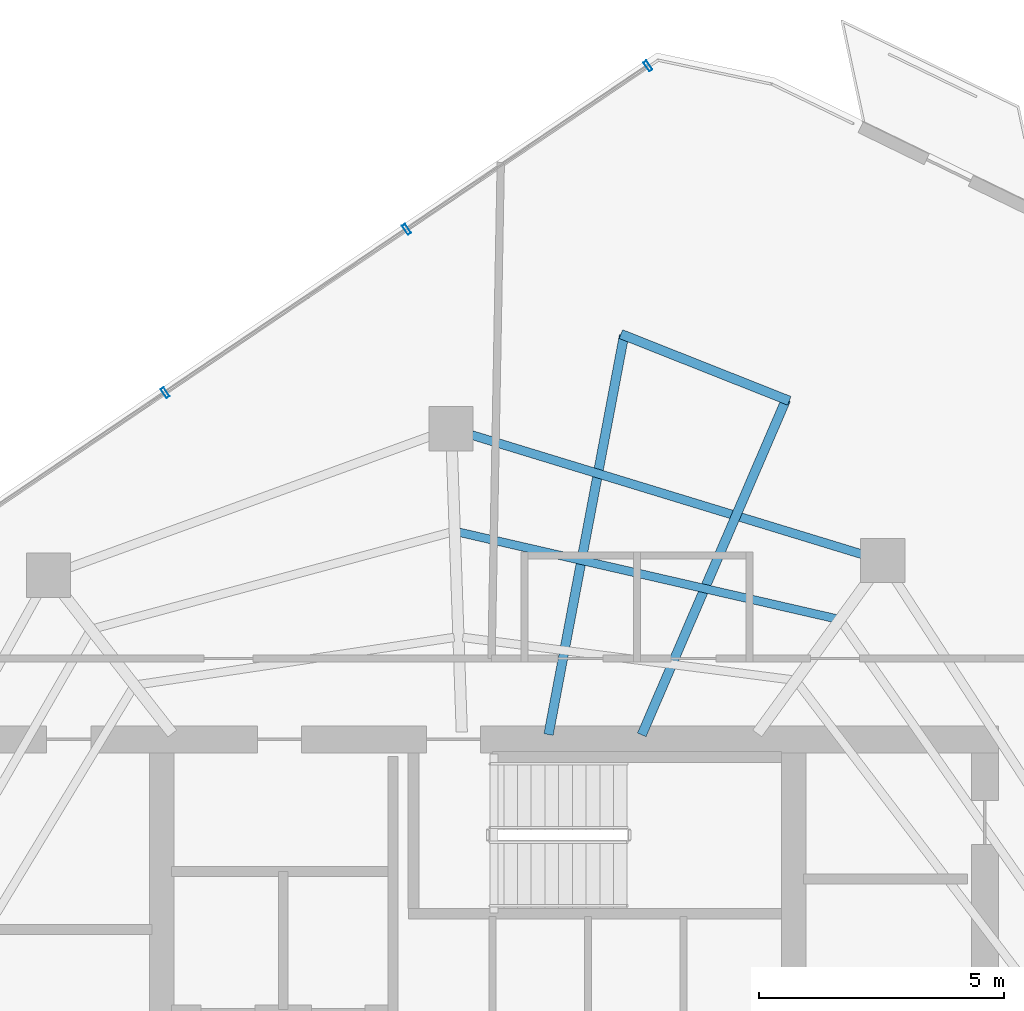
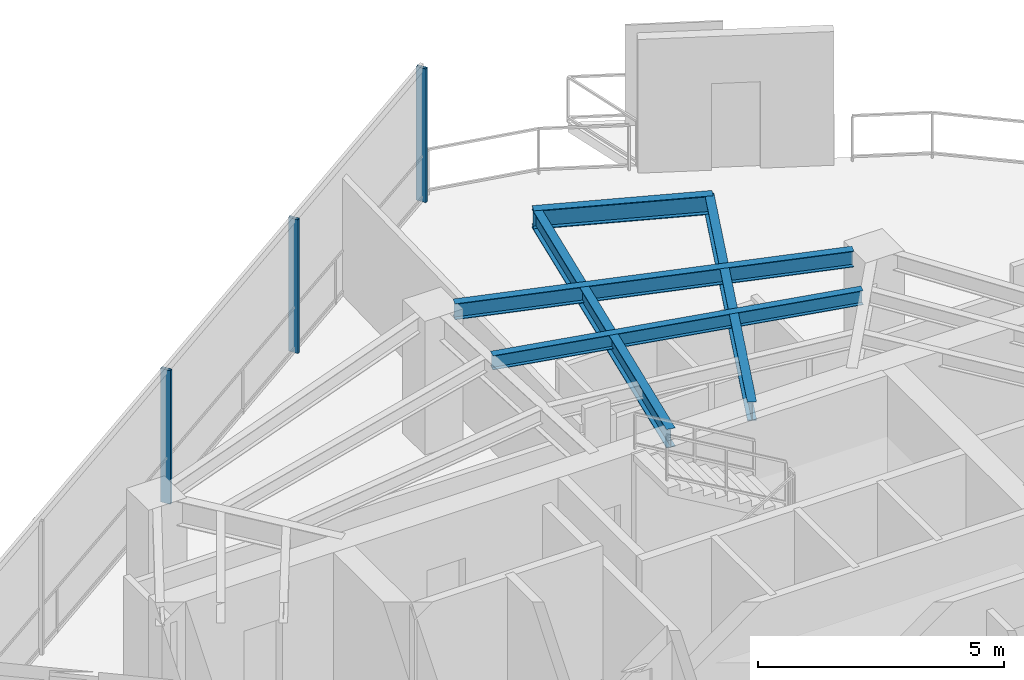
# One storey, part 14 of 20: 5 beams, 3 members, 1 element without a shape of its own.
"""IFC4 building model written with IfcOpenShell, lengths in metres."""

from ifc_helpers import new_model, si_unit, direction, frame, origin, origin_2d, place, context, subcontext, project, spatial, hollow_rectangle, i_section, extrude, material, layer, layer_set, material_profile, profile_set, type_object, element, aggregate, save


model = new_model("IFC4")

# Units and contexts
model_context = context("Model", 3, precision=1e-05, world=origin(), true_north=direction((0.0, 1.0)))
body_context = subcontext(model_context, "Body", "Model", "MODEL_VIEW")
ifc_project = project(units=[si_unit("LENGTHUNIT", "METRE"), si_unit("AREAUNIT", "SQUARE_METRE"), si_unit("VOLUMEUNIT", "CUBIC_METRE"), si_unit("PLANEANGLEUNIT", "RADIAN"), si_unit("MASSUNIT", "GRAM", prefix="KILO")], contexts=[model_context])

# Site, building, storey
site_placement = place(None, origin())
site = spatial("IfcSite", under=ifc_project, at=site_placement, CompositionType="ELEMENT")
building_placement = place(site_placement, origin())
building = spatial("IfcBuilding", under=site, at=building_placement, Name="Qarnah Convention Tower", CompositionType="ELEMENT")
storey_placement = place(building_placement, frame((0.0, 0.0, 195.0)))
storey = spatial("IfcBuildingStorey", under=building, at=storey_placement, Name="L52", CompositionType="ELEMENT", Elevation=195.0)

# Beams
ifc_material_1 = material(Name="Structural steel S355JR", Category="steel")
ifc_material_profile_1 = material_profile(ifc_material_1, i_section(OverallWidth=0.19189453125, OverallDepth=0.464111328125, WebThickness=0.010986328125, FlangeThickness=0.01806640625, at=origin_2d()), Name="W460X89")
ifc_profile_set_1 = profile_set([ifc_material_profile_1], Name="Structural steel S355JR")
beam_type_1 = type_object("IfcBeamType", Name="BM-CANT-W460A", PredefinedType="BEAM", material=ifc_profile_set_1)
beam_1_placement = place(storey_placement, frame((40.596923828125, 34.2919921875, 3.087890625), z_axis=(0.395334358974, 0.91853728537, 0.0), x_axis=(-0.91853728537, 0.395334358974, 0.0)))
element("IfcBeam", 1, at=beam_1_placement, inside=storey, type_object=beam_type_1, Name="L52 beam BM-L52-CNT-01-1", PredefinedType="BEAM", context=body_context, shape_type="SweptSolid", body=[
    extrude(i_section(OverallWidth=0.19189453125, OverallDepth=0.464111328125, WebThickness=0.010986328125, FlangeThickness=0.01806640625, at=origin_2d()), origin(), (0.0, 0.0, 1.0), 7.4521484375),
])
beam_2_placement = place(storey_placement, frame((38.694091796875, 34.298095703125, 3.087890625), z_axis=(0.185927001241, 0.982563560392, 0.0), x_axis=(-0.982563560392, 0.185927001241, 0.0)))
element("IfcBeam", 2, at=beam_2_placement, inside=storey, type_object=beam_type_1, Name="L52 beam BM-L52-CNT-01-2", PredefinedType="BEAM", context=body_context, shape_type="SweptSolid", body=[
    extrude(i_section(OverallWidth=0.19189453125, OverallDepth=0.464111328125, WebThickness=0.010986328125, FlangeThickness=0.01806640625, at=origin_2d()), origin(), (0.0, 0.0, 1.0), 8.29345703125),
])
beam_3_placement = place(storey_placement, frame((43.60791015625, 41.111083984375, 3.087890625), z_axis=(-0.929683207284, 0.368360060394, 0.0), x_axis=(-0.368360060394, -0.929683207284, 0.0)))
element("IfcBeam", 3, at=beam_3_placement, inside=storey, type_object=beam_type_1, Name="L52 spandrel BM-L52-CTIE-01", PredefinedType="SPANDREL", context=body_context, shape_type="SweptSolid", body=[
    extrude(i_section(OverallWidth=0.19189453125, OverallDepth=0.464111328125, WebThickness=0.010986328125, FlangeThickness=0.01806640625, at=origin_2d()), origin(), (0.0, 0.0, 1.0), 3.697021484375),
])
ifc_material_profile_2 = material_profile(ifc_material_1, i_section(OverallWidth=0.172119140625, OverallDepth=0.35595703125, WebThickness=0.007080078125, FlangeThickness=0.011962890625, at=origin_2d()), Name="W360X51")
ifc_profile_set_2 = profile_set([ifc_material_profile_2], Name="Structural steel S355JR")
beam_type_2 = type_object("IfcBeamType", Name="BM-JST-W360", PredefinedType="JOIST", material=ifc_profile_set_2)
beam_4_placement = place(storey_placement, frame((44.553955078125, 36.6640625, 3.14208984375), z_axis=(-0.974668529412, 0.223654326526, 0.0), x_axis=(-0.223654326526, -0.974668529412, 0.0)))
element("IfcBeam", 4, at=beam_4_placement, inside=storey, type_object=beam_type_2, Name="L52 joist BM-L52-SJST-02", PredefinedType="JOIST", context=body_context, shape_type="SweptSolid", body=[
    extrude(i_section(OverallWidth=0.172119140625, OverallDepth=0.35595703125, WebThickness=0.007080078125, FlangeThickness=0.011962890625, at=origin_2d()), origin(), (0.0, 0.0, 1.0), 7.88671875),
])
ifc_material_profile_3 = material_profile(ifc_material_1, i_section(OverallWidth=0.179931640625, OverallDepth=0.39990234375, WebThickness=0.009033203125, FlangeThickness=0.013916015625, at=origin_2d()), Name="IPE400")
ifc_profile_set_3 = profile_set([ifc_material_profile_3], Name="Structural steel S355JR")
beam_type_3 = type_object("IfcBeamType", Name="BM-SPN-IPE400", PredefinedType="SPANDREL", material=ifc_profile_set_3)
beam_5_placement = place(storey_placement, frame((45.095947265625, 37.97705078125, 3.1201171875), z_axis=(-0.956348614223, 0.292228212318, 0.0), x_axis=(-0.292228212318, -0.956348614223, 0.0)))
element("IfcBeam", 5, at=beam_5_placement, inside=storey, type_object=beam_type_3, Name="L52 spandrel BM-L52-SPN-02", PredefinedType="SPANDREL", context=body_context, shape_type="SweptSolid", body=[
    extrude(i_section(OverallWidth=0.179931640625, OverallDepth=0.39990234375, WebThickness=0.009033203125, FlangeThickness=0.013916015625, at=origin_2d()), origin(), (0.0, 0.0, 1.0), 8.332763671875),
])

# Curtain wall, members
ifc_material_2 = material(Name="Tempered Low-E dark glass", Category="glass")
ifc_layer = layer(ifc_material_2, 0.174072265625)
ifc_layer_set = layer_set([ifc_layer], Name="Tempered Low-E dark glass")
curtain_wall_type = type_object("IfcCurtainWallType", Name="CWS-04", PredefinedType="NOTDEFINED", material=ifc_layer_set)
curtain_wall_placement = place(storey_placement, origin())
curtain_wall = element("IfcCurtainWall", 6, at=curtain_wall_placement, inside=storey, type_object=curtain_wall_type, Name="L52 unitised curtain wall CW-L52-F1", PredefinedType="NOTDEFINED")
ifc_material_3 = material(Name="Black anodised aluminium", Category="aluminium")
ifc_material_profile_4 = material_profile(ifc_material_3, hollow_rectangle(XDim=0.074951171875, YDim=0.219970703125, WallThickness=0.0048828125, at=origin_2d()), Name="MUL-75X220")
ifc_profile_set_4 = profile_set([ifc_material_profile_4], Name="Black anodised aluminium")
member_type = type_object("IfcMemberType", Name="MUL-T4", PredefinedType="MULLION", material=ifc_profile_set_4)
member_1_placement = place(storey_placement, frame((30.86669921875, 41.277587890625, 0.0), z_axis=(0.0, 0.0, 1.0), x_axis=(0.828250839809, 0.560357516552, 0.0)))
member_1 = element("IfcMember", 7, at=member_1_placement, type_object=member_type, Name="CW-L52-F1 mullion 4", PredefinedType="MULLION", context=body_context, shape_type="SweptSolid", body=[
    extrude(hollow_rectangle(XDim=0.074951171875, YDim=0.219970703125, WallThickness=0.0048828125, at=origin_2d()), origin(), (0.0, 0.0, 1.0), 3.320068359375),
])
member_2_placement = place(storey_placement, frame((35.794921875, 44.61181640625, 0.0), z_axis=(0.0, 0.0, 1.0), x_axis=(0.828250839809, 0.560357516552, 0.0)))
member_2 = element("IfcMember", 8, at=member_2_placement, type_object=member_type, Name="CW-L52-F1 mullion 5", PredefinedType="MULLION", context=body_context, shape_type="SweptSolid", body=[
    extrude(hollow_rectangle(XDim=0.074951171875, YDim=0.219970703125, WallThickness=0.0048828125, at=origin_2d()), origin(), (0.0, 0.0, 1.0), 3.320068359375),
])
member_3_placement = place(storey_placement, frame((40.722900390625, 47.946044921875, 0.0), z_axis=(0.0, 0.0, 1.0), x_axis=(0.828250839809, 0.560357516552, 0.0)))
member_3 = element("IfcMember", 9, at=member_3_placement, type_object=member_type, Name="CW-L52-F1 mullion 6", PredefinedType="MULLION", context=body_context, shape_type="SweptSolid", body=[
    extrude(hollow_rectangle(XDim=0.074951171875, YDim=0.219970703125, WallThickness=0.0048828125, at=origin_2d()), origin(), (0.0, 0.0, 1.0), 3.320068359375),
])
aggregate(curtain_wall, [member_1, member_2, member_3])

save(model, "model.ifc")
